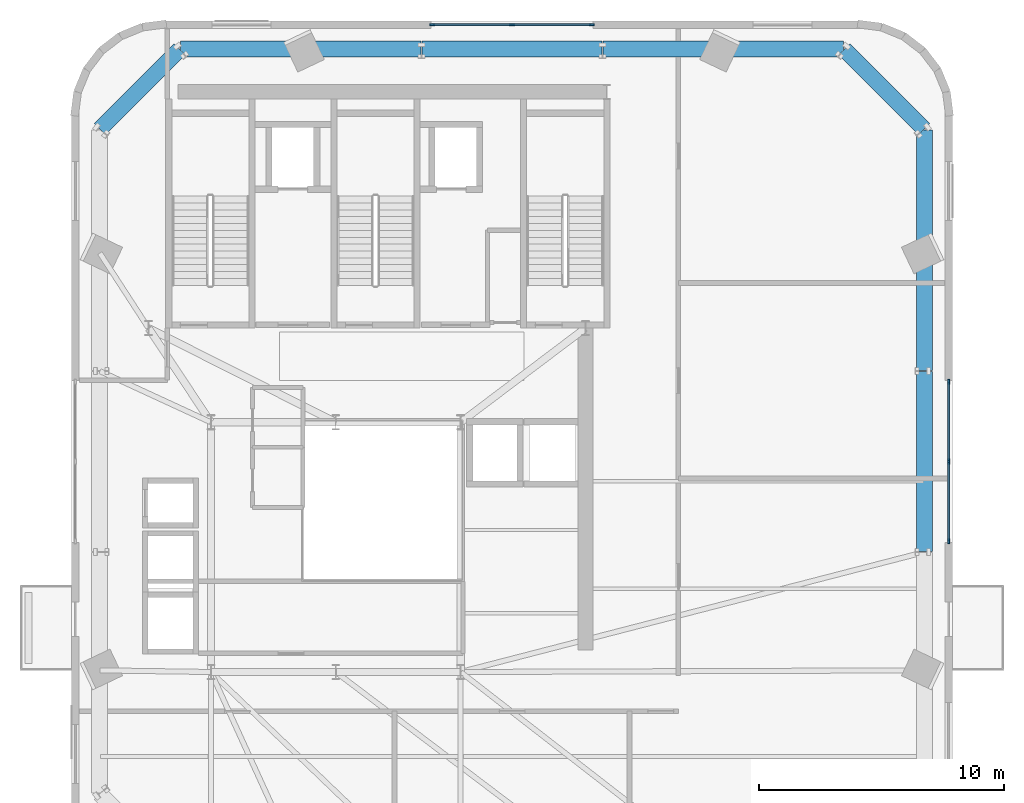
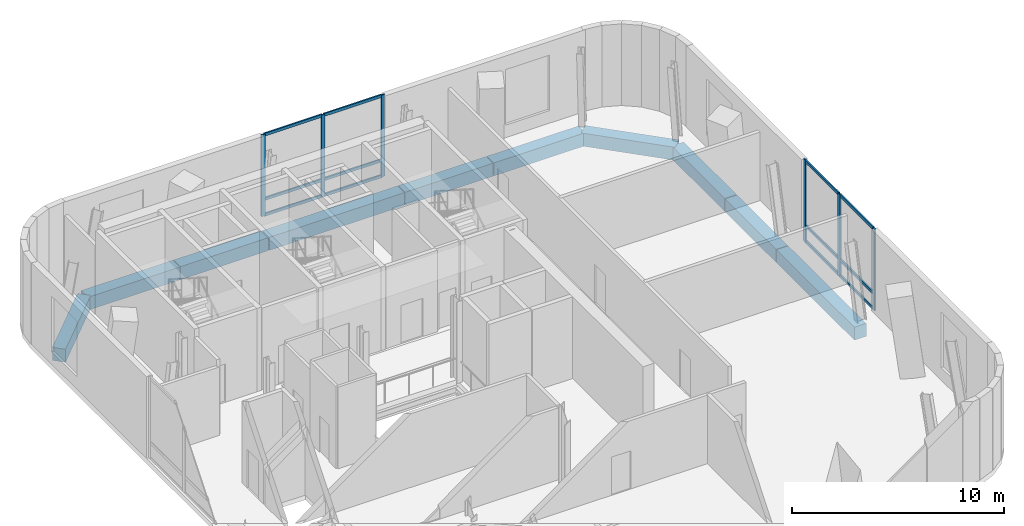
# One storey, part 4 of 11: 18 members, 10 beams, 2 elements without a shape of their own.
"""IFC4 building model written with IfcOpenShell, lengths in metres."""

from ifc_helpers import new_model, si_unit, direction, frame, origin, origin_2d, place, context, subcontext, project, spatial, rectangle, extrude, source, transform, mapped, material, material_profile, profile_set, type_object, element, aggregate, save


model = new_model("IFC4")

# Units and contexts
model_context = context("Model", 3, precision=1e-05, world=origin(), true_north=direction((0.0, 1.0)))
body_context = subcontext(model_context, "Body", "Model", "MODEL_VIEW")
ifc_project = project(units=[si_unit("LENGTHUNIT", "METRE"), si_unit("AREAUNIT", "SQUARE_METRE"), si_unit("VOLUMEUNIT", "CUBIC_METRE"), si_unit("PLANEANGLEUNIT", "RADIAN"), si_unit("MASSUNIT", "GRAM", prefix="KILO")], contexts=[model_context])

# Site, building, storey
site_placement = place(None, origin())
site = spatial("IfcSite", under=ifc_project, at=site_placement, CompositionType="ELEMENT")
building_placement = place(site_placement, origin())
building = spatial("IfcBuilding", under=site, at=building_placement, Name="Vardaveli Station Tower", CompositionType="ELEMENT")
storey_placement = place(building_placement, frame((0.0, 0.0, 296.14990234375)))
storey = spatial("IfcBuildingStorey", under=building, at=storey_placement, Name="L75", CompositionType="ELEMENT", Elevation=296.14990234375)

# Beams
ifc_material_1 = material(Name="Precast concrete C45/55", Category="concrete")
ifc_material_profile_1 = material_profile(ifc_material_1, rectangle(XDim=0.64990234375, YDim=0.75, at=origin_2d()), Name="LPB 650x750")
ifc_profile_set_1 = profile_set([ifc_material_profile_1], Name="Precast concrete C45/55")
beam_type = type_object("IfcBeamType", Name="BM-LPB-750", PredefinedType="BEAM", material=ifc_profile_set_1)
shared_shape_1 = source(origin(), body_context, "Body", "SweptSolid", [
    extrude(rectangle(XDim=0.64990234375, YDim=0.75, at=origin_2d()), origin(), (0.0, 0.0, 1.0), 7.35986328125),
])
for number, where, z_axis, x_axis, name in (
    (1, (60.35009765625, 21.52001953125, -0.6748046875), (0.0, 1.0, 0.0), (-1.0, 0.0, 0.0), "RBM-L75-08"),
    (2, (47.179931640625, 42.050048828125, -0.6748046875), (-1.0, 0.0, 0.0), (0.0, -1.0, 0.0), "RBM-L75-14"),
):
    element("IfcBeam", number, at=place(storey_placement, frame(where, z_axis=z_axis, x_axis=x_axis)), inside=storey, type_object=beam_type, Name=name, PredefinedType="BEAM", context=body_context, shape_type="MappedRepresentation", body=[
        mapped(shared_shape_1, transform((0.0, 0.0, 0.0), scale=1.0)),
    ])
shared_shape_2 = source(origin(), body_context, "Body", "SweptSolid", [
    extrude(rectangle(XDim=0.64990234375, YDim=0.75, at=origin_2d()), origin(), (0.0, 0.0, 1.0), 4.7919921875),
])
for number, where, z_axis, x_axis, name in (
    (3, (60.35009765625, 28.919921875, -0.6748046875), (0.0, 1.0, 0.0), (-1.0, 0.0, 0.0), "RBM-L75-09"),
    (4, (52.011962890625, 42.050048828125, -0.6748046875), (-1.0, 0.0, 0.0), (0.0, -1.0, 0.0), "RBM-L75-13"),
    (5, (39.780029296875, 42.050048828125, -0.6748046875), (-1.0, 0.0, 0.0), (0.0, -1.0, 0.0), "RBM-L75-15"),
):
    element("IfcBeam", number, at=place(storey_placement, frame(where, z_axis=z_axis, x_axis=x_axis)), inside=storey, type_object=beam_type, Name=name, PredefinedType="BEAM", context=body_context, shape_type="MappedRepresentation", body=[
        mapped(shared_shape_2, transform((0.0, 0.0, 0.0), scale=1.0)),
    ])
shared_shape_3 = source(origin(), body_context, "Body", "SweptSolid", [
    extrude(rectangle(XDim=0.64990234375, YDim=0.75, at=origin_2d()), origin(), (0.0, 0.0, 1.0), 4.998046875),
])
for number, where, z_axis, x_axis, name in (
    (6, (60.35009765625, 33.751953125, -0.6748046875), (0.0, 1.0, 0.0), (-1.0, 0.0, 0.0), "RBM-L75-10"),
    (7, (57.050048828125, 42.050048828125, -0.6748046875), (-1.0, 0.0, 0.0), (0.0, -1.0, 0.0), "RBM-L75-12"),
    (8, (34.947998046875, 42.050048828125, -0.6748046875), (-1.0, 0.0, 0.0), (0.0, -1.0, 0.0), "RBM-L75-16"),
):
    element("IfcBeam", number, at=place(storey_placement, frame(where, z_axis=z_axis, x_axis=x_axis)), inside=storey, type_object=beam_type, Name=name, PredefinedType="BEAM", context=body_context, shape_type="MappedRepresentation", body=[
        mapped(shared_shape_3, transform((0.0, 0.0, 0.0), scale=1.0)),
    ])
shared_shape_4 = source(origin(), body_context, "Body", "SweptSolid", [
    extrude(rectangle(XDim=0.64990234375, YDim=0.75, at=origin_2d()), origin(), (0.0, 0.0, 1.0), 4.5986328125),
])
for number, where, z_axis, x_axis, name in (
    (9, (60.3359375, 38.7841796875, -0.6748046875), (-0.707106781187, 0.707106781187, 0.0), (-0.707106781187, -0.707106781187, 0.0), "RBM-L75-11"),
    (10, (29.915771484375, 42.035888671875, -0.6748046875), (-0.707106781187, -0.707106781187, 0.0), (0.707106781187, -0.707106781187, 0.0), "RBM-L75-17"),
):
    element("IfcBeam", number, at=place(storey_placement, frame(where, z_axis=z_axis, x_axis=x_axis)), inside=storey, type_object=beam_type, Name=name, PredefinedType="BEAM", context=body_context, shape_type="MappedRepresentation", body=[
        mapped(shared_shape_4, transform((0.0, 0.0, 0.0), scale=1.0)),
    ])

# Curtain wall, members
ifc_material_2 = material(Name="Travertine stone and solar-control glass", Category="masonry")
curtain_wall_type = type_object("IfcCurtainWallType", Name="CW-SYS-5", PredefinedType="NOTDEFINED", material=ifc_material_2)
curtain_wall_1_placement = place(storey_placement, origin())
curtain_wall_1 = element("IfcCurtainWall", 11, at=curtain_wall_1_placement, inside=storey, type_object=curtain_wall_type, Name="CW-L75-N", PredefinedType="NOTDEFINED")
ifc_material_3 = material(Name="Anodised aluminium alloy 6063-T6", Category="aluminium")
ifc_material_profile_2 = material_profile(ifc_material_3, rectangle(XDim=0.080078125, YDim=0.1650390625, at=origin_2d()), Name="CWT 80x165")
ifc_profile_set_2 = profile_set([ifc_material_profile_2], Name="Anodised aluminium alloy 6063-T6")
member_type_1 = type_object("IfcMemberType", Name="CW-SYS-5-TRAN", PredefinedType="NOTDEFINED", material=ifc_profile_set_2)
shared_shape_5 = source(origin(), body_context, "Body", "SweptSolid", [
    extrude(rectangle(XDim=0.080078125, YDim=0.1650390625, at=origin_2d()), origin(), (0.0, 0.0, 1.0), 3.179931640625),
])
member_1_placement = place(storey_placement, frame((46.719970703125, 43.0400390625, 0.0400390625), z_axis=(-1.0, 0.0, 0.0), x_axis=(0.0, -1.0, 0.0)))
member_1 = element("IfcMember", 12, at=member_1_placement, type_object=member_type_1, Name="CW-5 transom 1.1", ObjectType="TRANSOM", PredefinedType="USERDEFINED", context=body_context, shape_type="MappedRepresentation", body=[
    mapped(shared_shape_5, transform((0.0, 0.0, 0.0), scale=1.0)),
])
member_2_placement = place(storey_placement, frame((46.719970703125, 43.0400390625, 0.9501953125), z_axis=(-1.0, 0.0, 0.0), x_axis=(0.0, -1.0, 0.0)))
member_2 = element("IfcMember", 13, at=member_2_placement, type_object=member_type_1, Name="CW-5 transom 1.2", ObjectType="TRANSOM", PredefinedType="USERDEFINED", context=body_context, shape_type="MappedRepresentation", body=[
    mapped(shared_shape_5, transform((0.0, 0.0, 0.0), scale=1.0)),
])
member_3_placement = place(storey_placement, frame((46.719970703125, 43.0400390625, 4.66015625), z_axis=(-1.0, 0.0, 0.0), x_axis=(0.0, -1.0, 0.0)))
member_3 = element("IfcMember", 14, at=member_3_placement, type_object=member_type_1, Name="CW-5 transom 1.3", ObjectType="TRANSOM", PredefinedType="USERDEFINED", context=body_context, shape_type="MappedRepresentation", body=[
    mapped(shared_shape_5, transform((0.0, 0.0, 0.0), scale=1.0)),
])
member_4_placement = place(storey_placement, frame((43.4599609375, 43.0400390625, 0.0400390625), z_axis=(-1.0, 0.0, 0.0), x_axis=(0.0, -1.0, 0.0)))
member_4 = element("IfcMember", 15, at=member_4_placement, type_object=member_type_1, Name="CW-5 transom 2.1", ObjectType="TRANSOM", PredefinedType="USERDEFINED", context=body_context, shape_type="MappedRepresentation", body=[
    mapped(shared_shape_5, transform((0.0, 0.0, 0.0), scale=1.0)),
])
member_5_placement = place(storey_placement, frame((43.4599609375, 43.0400390625, 0.9501953125), z_axis=(-1.0, 0.0, 0.0), x_axis=(0.0, -1.0, 0.0)))
member_5 = element("IfcMember", 16, at=member_5_placement, type_object=member_type_1, Name="CW-5 transom 2.2", ObjectType="TRANSOM", PredefinedType="USERDEFINED", context=body_context, shape_type="MappedRepresentation", body=[
    mapped(shared_shape_5, transform((0.0, 0.0, 0.0), scale=1.0)),
])
member_6_placement = place(storey_placement, frame((43.4599609375, 43.0400390625, 4.66015625), z_axis=(-1.0, 0.0, 0.0), x_axis=(0.0, -1.0, 0.0)))
member_6 = element("IfcMember", 17, at=member_6_placement, type_object=member_type_1, Name="CW-5 transom 2.3", ObjectType="TRANSOM", PredefinedType="USERDEFINED", context=body_context, shape_type="MappedRepresentation", body=[
    mapped(shared_shape_5, transform((0.0, 0.0, 0.0), scale=1.0)),
])

curtain_wall_2_placement = place(storey_placement, origin())
curtain_wall_2 = element("IfcCurtainWall", 18, at=curtain_wall_2_placement, inside=storey, type_object=curtain_wall_type, Name="CW-L75-E", PredefinedType="NOTDEFINED")
member_7_placement = place(storey_placement, frame((61.340087890625, 21.97998046875, 0.0400390625), z_axis=(0.0, 1.0, 0.0), x_axis=(-1.0, 0.0, 0.0)))
member_7 = element("IfcMember", 19, at=member_7_placement, type_object=member_type_1, Name="CW-5 transom 1.1", ObjectType="TRANSOM", PredefinedType="USERDEFINED", context=body_context, shape_type="MappedRepresentation", body=[
    mapped(shared_shape_5, transform((0.0, 0.0, 0.0), scale=1.0)),
])
member_8_placement = place(storey_placement, frame((61.340087890625, 21.97998046875, 0.9501953125), z_axis=(0.0, 1.0, 0.0), x_axis=(-1.0, 0.0, 0.0)))
member_8 = element("IfcMember", 20, at=member_8_placement, type_object=member_type_1, Name="CW-5 transom 1.2", ObjectType="TRANSOM", PredefinedType="USERDEFINED", context=body_context, shape_type="MappedRepresentation", body=[
    mapped(shared_shape_5, transform((0.0, 0.0, 0.0), scale=1.0)),
])
member_9_placement = place(storey_placement, frame((61.340087890625, 21.97998046875, 4.66015625), z_axis=(0.0, 1.0, 0.0), x_axis=(-1.0, 0.0, 0.0)))
member_9 = element("IfcMember", 21, at=member_9_placement, type_object=member_type_1, Name="CW-5 transom 1.3", ObjectType="TRANSOM", PredefinedType="USERDEFINED", context=body_context, shape_type="MappedRepresentation", body=[
    mapped(shared_shape_5, transform((0.0, 0.0, 0.0), scale=1.0)),
])
member_10_placement = place(storey_placement, frame((61.340087890625, 25.239990234375, 0.0400390625), z_axis=(0.0, 1.0, 0.0), x_axis=(-1.0, 0.0, 0.0)))
member_10 = element("IfcMember", 22, at=member_10_placement, type_object=member_type_1, Name="CW-5 transom 2.1", ObjectType="TRANSOM", PredefinedType="USERDEFINED", context=body_context, shape_type="MappedRepresentation", body=[
    mapped(shared_shape_5, transform((0.0, 0.0, 0.0), scale=1.0)),
])
member_11_placement = place(storey_placement, frame((61.340087890625, 25.239990234375, 0.9501953125), z_axis=(0.0, 1.0, 0.0), x_axis=(-1.0, 0.0, 0.0)))
member_11 = element("IfcMember", 23, at=member_11_placement, type_object=member_type_1, Name="CW-5 transom 2.2", ObjectType="TRANSOM", PredefinedType="USERDEFINED", context=body_context, shape_type="MappedRepresentation", body=[
    mapped(shared_shape_5, transform((0.0, 0.0, 0.0), scale=1.0)),
])
member_12_placement = place(storey_placement, frame((61.340087890625, 25.239990234375, 4.66015625), z_axis=(0.0, 1.0, 0.0), x_axis=(-1.0, 0.0, 0.0)))
member_12 = element("IfcMember", 24, at=member_12_placement, type_object=member_type_1, Name="CW-5 transom 2.3", ObjectType="TRANSOM", PredefinedType="USERDEFINED", context=body_context, shape_type="MappedRepresentation", body=[
    mapped(shared_shape_5, transform((0.0, 0.0, 0.0), scale=1.0)),
])

# Member
ifc_material_profile_3 = material_profile(ifc_material_3, rectangle(XDim=0.080078125, YDim=0.205078125, at=origin_2d()), Name="CWM 80x205")
ifc_profile_set_3 = profile_set([ifc_material_profile_3], Name="Anodised aluminium alloy 6063-T6")
member_type_2 = type_object("IfcMemberType", Name="CW-SYS-5-MULL", PredefinedType="MULLION", material=ifc_profile_set_3)
shared_shape_6 = source(origin(), body_context, "Body", "SweptSolid", [
    extrude(rectangle(XDim=0.080078125, YDim=0.205078125, at=origin_2d()), origin(), (0.0, 0.0, 1.0), 4.7001953125),
])
member_13_placement = place(storey_placement, frame((46.760009765625, 43.0400390625, 0.0), z_axis=(0.0, 0.0, 1.0), x_axis=(0.0, -1.0, 0.0)))
member_13 = element("IfcMember", 25, at=member_13_placement, type_object=member_type_2, Name="CW-5 mullion 1", PredefinedType="MULLION", context=body_context, shape_type="MappedRepresentation", body=[
    mapped(shared_shape_6, transform((0.0, 0.0, 0.0), scale=1.0)),
])

member_14_placement = place(storey_placement, frame((43.5, 43.0400390625, 0.0), z_axis=(0.0, 0.0, 1.0), x_axis=(0.0, -1.0, 0.0)))
member_14 = element("IfcMember", 26, at=member_14_placement, type_object=member_type_2, Name="CW-5 mullion 2", PredefinedType="MULLION", context=body_context, shape_type="MappedRepresentation", body=[
    mapped(shared_shape_6, transform((0.0, 0.0, 0.0), scale=1.0)),
])

member_15_placement = place(storey_placement, frame((40.239990234375, 43.0400390625, 0.0), z_axis=(0.0, 0.0, 1.0), x_axis=(0.0, -1.0, 0.0)))
member_15 = element("IfcMember", 27, at=member_15_placement, type_object=member_type_2, Name="CW-5 mullion 3", PredefinedType="MULLION", context=body_context, shape_type="MappedRepresentation", body=[
    mapped(shared_shape_6, transform((0.0, 0.0, 0.0), scale=1.0)),
])

aggregate(curtain_wall_1, [member_13, member_14, member_15, member_1, member_2, member_3, member_4, member_5, member_6])

member_16_placement = place(storey_placement, frame((61.340087890625, 21.93994140625, 0.0), z_axis=(0.0, 0.0, 1.0), x_axis=(-1.0, 0.0, 0.0)))
member_16 = element("IfcMember", 28, at=member_16_placement, type_object=member_type_2, Name="CW-5 mullion 1", PredefinedType="MULLION", context=body_context, shape_type="MappedRepresentation", body=[
    mapped(shared_shape_6, transform((0.0, 0.0, 0.0), scale=1.0)),
])

member_17_placement = place(storey_placement, frame((61.340087890625, 25.199951171875, 0.0), z_axis=(0.0, 0.0, 1.0), x_axis=(-1.0, 0.0, 0.0)))
member_17 = element("IfcMember", 29, at=member_17_placement, type_object=member_type_2, Name="CW-5 mullion 2", PredefinedType="MULLION", context=body_context, shape_type="MappedRepresentation", body=[
    mapped(shared_shape_6, transform((0.0, 0.0, 0.0), scale=1.0)),
])

member_18_placement = place(storey_placement, frame((61.340087890625, 28.4599609375, 0.0), z_axis=(0.0, 0.0, 1.0), x_axis=(-1.0, 0.0, 0.0)))
member_18 = element("IfcMember", 30, at=member_18_placement, type_object=member_type_2, Name="CW-5 mullion 3", PredefinedType="MULLION", context=body_context, shape_type="MappedRepresentation", body=[
    mapped(shared_shape_6, transform((0.0, 0.0, 0.0), scale=1.0)),
])

aggregate(curtain_wall_2, [member_16, member_17, member_18, member_7, member_8, member_9, member_10, member_11, member_12])

save(model, "model.ifc")
